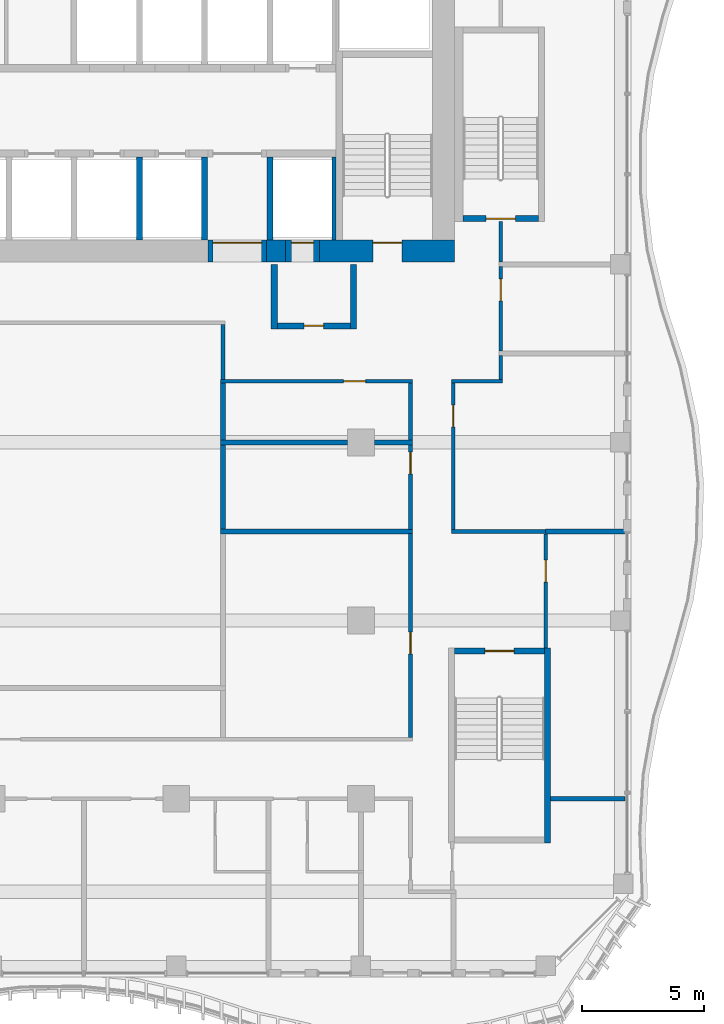
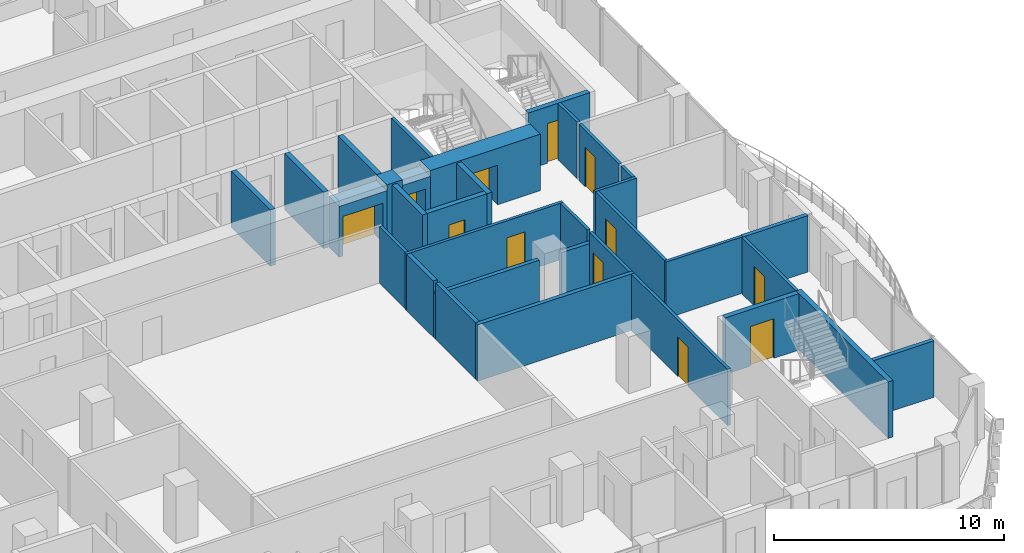
# One storey, part 13 of 23: 33 walls, 12 doors, 12 openings.
"""IFC4 building model written with IfcOpenShell, lengths in metres."""

from ifc_helpers import new_model, si_unit, direction, frame, frame_2d, origin, place, context, subcontext, project, spatial, rectangle, extrude, source, transform, mapped, material, layer, layer_set, type_object, element, fill, save


model = new_model("IFC4")

# Units and contexts
model_context = context("Model", 3, precision=1e-05, world=origin(), true_north=direction((0.0, 1.0)))
body_context = subcontext(model_context, "Body", "Model", "MODEL_VIEW")
ifc_project = project(units=[si_unit("LENGTHUNIT", "METRE"), si_unit("AREAUNIT", "SQUARE_METRE"), si_unit("VOLUMEUNIT", "CUBIC_METRE"), si_unit("PLANEANGLEUNIT", "RADIAN"), si_unit("MASSUNIT", "GRAM", prefix="KILO")], contexts=[model_context])

# Site, building, storey
site_placement = place(None, origin())
site = spatial("IfcSite", under=ifc_project, at=site_placement, CompositionType="ELEMENT")
building_placement = place(site_placement, origin())
building = spatial("IfcBuilding", under=site, at=building_placement, Name="Kilnfold Tower and Market Hall", CompositionType="ELEMENT")
storey_placement = place(building_placement, frame((0.0, 0.0, 160.89990234375)))
storey = spatial("IfcBuildingStorey", under=building, at=storey_placement, Name="L37", CompositionType="ELEMENT", Elevation=160.89990234375)

# Wall, opening, door
ifc_material_1 = material(Name="Gypsum board on steel studs", Category="steel")
ifc_layer_1 = layer(ifc_material_1, 0.14990234375)
ifc_layer_set_1 = layer_set([ifc_layer_1], Name="Gypsum board on steel studs")
wall_type_1 = type_object("IfcWallType", Name="WALL CORRIDOR 150", PredefinedType="PARTITIONING", material=ifc_layer_set_1)
wall_1_placement = place(storey_placement, frame((19.89990234375, 4.43408203125, 0.0), z_axis=(0.0, 0.0, 1.0), x_axis=(0.0, 1.0, 0.0)))
wall_1 = element("IfcWall", 1, at=wall_1_placement, inside=storey, type_object=wall_type_1, Name="Partition LY24.23", PredefinedType="PARTITIONING", context=body_context, shape_type="SweptSolid", body=[
    extrude(rectangle(XDim=3.475830078125, YDim=0.14990234375, at=frame_2d((1.73779296875, 0.0))), origin(), (0.0, 0.0, 1.0), 3.0),
])
opening_1_placement = place(wall_1_placement, frame((2.06494140625, 0.0, 0.0)))
opening_1 = element("IfcOpeningElement", 2, at=opening_1_placement, cuts=wall_1, Name="Opening D2", PredefinedType="OPENING", context=body_context, shape_type="SweptSolid", body=[
    extrude(rectangle(XDim=0.89990234375, YDim=2.10009765625, at=frame_2d((0.449951171875, 1.050048828125))), frame((0.0, 0.0849609375, 0.0), z_axis=(0.0, -1.0, 0.0), x_axis=(1.0, 0.0, 0.0)), (0.0, 0.0, 1.0), 0.169921875),
])
ifc_material_2 = material(Name="Timber veneer door leaf in steel frame", Category="steel")
door_type_1 = type_object("IfcDoorType", Name="DOOR ROOM 900 X2100", OperationType="NOTDEFINED", PredefinedType="DOOR", material=ifc_material_2)
door_1_placement = place(opening_1_placement, origin())
door_1 = element("IfcDoor", 3, at=door_1_placement, inside=storey, type_object=door_type_1, Name="Door D2", OperationType="SINGLE_SWING_LEFT", OverallHeight=2.10009765625, OverallWidth=0.89990234375, PredefinedType="DOOR", context=body_context, shape_type="SweptSolid", body=[
    extrude(rectangle(XDim=0.89990234375, YDim=2.10009765625, at=frame_2d((0.449951171875, 1.050048828125))), frame((0.0, 0.02490234375, 0.0), z_axis=(0.0, -1.0, 0.0), x_axis=(1.0, 0.0, 0.0)), (0.0, 0.0, 1.0), 0.050048828125),
])
fill(opening_1, door_1)

# Walls
wall_2_placement = place(storey_placement, frame((19.89990234375, 8.090087890625, 0.0), z_axis=(0.0, 0.0, 1.0), x_axis=(0.0, 1.0, 0.0)))
element("IfcWall", 4, at=wall_2_placement, inside=storey, type_object=wall_type_1, Name="Partition LY24.26", PredefinedType="PARTITIONING", context=body_context, shape_type="SweptSolid", body=[
    extrude(rectangle(XDim=1.659912109375, YDim=0.14990234375, at=frame_2d((0.830078125, 0.0))), origin(), (0.0, 0.0, 1.0), 3.0),
])
wall_3_placement = place(storey_placement, frame((19.89990234375, 3.27490234375, 0.0), z_axis=(0.0, 0.0, 1.0), x_axis=(0.0, 1.0, 0.0)))
element("IfcWall", 5, at=wall_3_placement, inside=storey, type_object=wall_type_1, Name="Partition LY24.27", PredefinedType="PARTITIONING", context=body_context, shape_type="SweptSolid", body=[
    extrude(rectangle(XDim=0.97900390625, YDim=0.14990234375, at=frame_2d((0.489501953125, 0.0))), origin(), (0.0, 0.0, 1.0), 3.0),
])
wall_4_placement = place(storey_placement, frame((17.884033203125, 3.199951171875, 0.0), z_axis=(0.0, 0.0, 1.0), x_axis=(1.0, 0.0, 0.0)))
element("IfcWall", 6, at=wall_4_placement, inside=storey, type_object=wall_type_1, Name="Partition LY24.28", PredefinedType="PARTITIONING", context=body_context, shape_type="SweptSolid", body=[
    extrude(rectangle(XDim=2.091064453125, YDim=0.14990234375, at=frame_2d((1.04541015625, 0.0))), origin(), (0.0, 0.0, 1.0), 3.0),
])

# Wall, opening, door
wall_5_placement = place(storey_placement, frame((17.958984375, -2.89404296875, 0.0), z_axis=(0.0, 0.0, 1.0), x_axis=(0.0, 1.0, 0.0)))
wall_5 = element("IfcWall", 7, at=wall_5_placement, inside=storey, type_object=wall_type_1, Name="Partition LY24.29", PredefinedType="PARTITIONING", context=body_context, shape_type="SweptSolid", body=[
    extrude(rectangle(XDim=6.01904296875, YDim=0.14990234375, at=frame_2d((3.009521484375, 0.0))), origin(), (0.0, 0.0, 1.0), 3.0),
])
opening_2_placement = place(wall_5_placement, frame((4.216064453125, 0.0, 0.0)))
opening_2 = element("IfcOpeningElement", 8, at=opening_2_placement, cuts=wall_5, Name="Opening D2", PredefinedType="OPENING", context=body_context, shape_type="SweptSolid", body=[
    extrude(rectangle(XDim=0.89990234375, YDim=2.10009765625, at=frame_2d((0.449951171875, 1.050048828125))), frame((0.0, 0.0849609375, 0.0), z_axis=(0.0, -1.0, 0.0), x_axis=(1.0, 0.0, 0.0)), (0.0, 0.0, 1.0), 0.169921875),
])
door_2_placement = place(opening_2_placement, origin())
door_2 = element("IfcDoor", 9, at=door_2_placement, inside=storey, type_object=door_type_1, Name="Door D2", OperationType="SINGLE_SWING_LEFT", OverallHeight=2.10009765625, OverallWidth=0.89990234375, PredefinedType="DOOR", context=body_context, shape_type="SweptSolid", body=[
    extrude(rectangle(XDim=0.89990234375, YDim=2.10009765625, at=frame_2d((0.449951171875, 1.050048828125))), frame((0.0, 0.02490234375, 0.0), z_axis=(0.0, -1.0, 0.0), x_axis=(1.0, 0.0, 0.0)), (0.0, 0.0, 1.0), 0.050048828125),
])
fill(opening_2, door_2)

# Wall
wall_6_placement = place(storey_placement, frame((21.7509765625, -2.968994140625, 0.0), z_axis=(0.0, 0.0, 1.0), x_axis=(-1.0, 0.0, 0.0)))
element("IfcWall", 10, at=wall_6_placement, inside=storey, type_object=wall_type_1, Name="Partition LY24.30", PredefinedType="PARTITIONING", context=body_context, shape_type="SweptSolid", body=[
    extrude(rectangle(XDim=3.866943359375, YDim=0.14990234375, at=frame_2d((1.93359375, 0.0))), origin(), (0.0, 0.0, 1.0), 3.0),
])

# Wall, opening, door
wall_7_placement = place(storey_placement, frame((21.75, -7.75, 0.0), z_axis=(0.0, 0.0, 1.0), x_axis=(0.0, 1.0, 0.0)))
wall_7 = element("IfcWall", 11, at=wall_7_placement, inside=storey, type_object=wall_type_1, Name="Partition LY24.31", PredefinedType="PARTITIONING", context=body_context, shape_type="SweptSolid", body=[
    extrude(rectangle(XDim=4.681884765625, YDim=0.14990234375, at=frame_2d((2.3408203125, 0.0))), origin(), (0.0, 0.0, 1.0), 3.0),
])
opening_3_placement = place(wall_7_placement, frame((2.7041015625, 0.0, 0.0)))
opening_3 = element("IfcOpeningElement", 12, at=opening_3_placement, cuts=wall_7, Name="Opening D2", PredefinedType="OPENING", context=body_context, shape_type="SweptSolid", body=[
    extrude(rectangle(XDim=0.89990234375, YDim=2.10009765625, at=frame_2d((0.449951171875, 1.050048828125))), frame((0.0, 0.0849609375, 0.0), z_axis=(0.0, -1.0, 0.0), x_axis=(1.0, 0.0, 0.0)), (0.0, 0.0, 1.0), 0.169921875),
])
door_3_placement = place(opening_3_placement, origin())
door_3 = element("IfcDoor", 13, at=door_3_placement, inside=storey, type_object=door_type_1, Name="Door D2", OperationType="SINGLE_SWING_RIGHT", OverallHeight=2.10009765625, OverallWidth=0.89990234375, PredefinedType="DOOR", context=body_context, shape_type="SweptSolid", body=[
    extrude(rectangle(XDim=0.89990234375, YDim=2.10009765625, at=frame_2d((0.449951171875, 1.050048828125))), frame((0.0, 0.02490234375, 0.0), z_axis=(0.0, -1.0, 0.0), x_axis=(1.0, 0.0, 0.0)), (0.0, 0.0, 1.0), 0.050048828125),
])
fill(opening_3, door_3)

wall_8_placement = place(storey_placement, frame((16.199951171875, -11.425048828125, 0.0), z_axis=(0.0, 0.0, 1.0), x_axis=(0.0, 1.0, 0.0)))
wall_8 = element("IfcWall", 14, at=wall_8_placement, inside=storey, type_object=wall_type_1, Name="Partition LY24.40", PredefinedType="PARTITIONING", context=body_context, shape_type="SweptSolid", body=[
    extrude(rectangle(XDim=8.365966796875, YDim=0.14990234375, at=frame_2d((4.18310546875, 0.0))), origin(), (0.0, 0.0, 1.0), 3.0),
])
opening_4_placement = place(wall_8_placement, frame((3.429931640625, 0.0, 0.0)))
opening_4 = element("IfcOpeningElement", 15, at=opening_4_placement, cuts=wall_8, Name="Opening D2", PredefinedType="OPENING", context=body_context, shape_type="SweptSolid", body=[
    extrude(rectangle(XDim=0.89990234375, YDim=2.10009765625, at=frame_2d((0.449951171875, 1.050048828125))), frame((0.0, 0.0849609375, 0.0), z_axis=(0.0, -1.0, 0.0), x_axis=(1.0, 0.0, 0.0)), (0.0, 0.0, 1.0), 0.169921875),
])
door_4_placement = place(opening_4_placement, origin())
door_4 = element("IfcDoor", 16, at=door_4_placement, inside=storey, type_object=door_type_1, Name="Door D2", OperationType="SINGLE_SWING_LEFT", OverallHeight=2.10009765625, OverallWidth=0.89990234375, PredefinedType="DOOR", context=body_context, shape_type="SweptSolid", body=[
    extrude(rectangle(XDim=0.89990234375, YDim=2.10009765625, at=frame_2d((0.449951171875, 1.050048828125))), frame((0.0, 0.02490234375, 0.0), z_axis=(0.0, -1.0, 0.0), x_axis=(1.0, 0.0, 0.0)), (0.0, 0.0, 1.0), 0.050048828125),
])
fill(opening_4, door_4)

wall_9_placement = place(storey_placement, frame((16.199951171875, -2.87890625, 0.0), z_axis=(0.0, 0.0, 1.0), x_axis=(0.0, 1.0, 0.0)))
wall_9 = element("IfcWall", 17, at=wall_9_placement, inside=storey, type_object=wall_type_1, Name="Partition LY24.41", PredefinedType="PARTITIONING", context=body_context, shape_type="SweptSolid", body=[
    extrude(rectangle(XDim=3.476806640625, YDim=0.14990234375, at=frame_2d((1.73828125, 0.0))), origin(), (0.0, 0.0, 1.0), 3.0),
])
opening_5_placement = place(wall_9_placement, frame((2.27294921875, 0.0, 0.0)))
opening_5 = element("IfcOpeningElement", 18, at=opening_5_placement, cuts=wall_9, Name="Opening D2", PredefinedType="OPENING", context=body_context, shape_type="SweptSolid", body=[
    extrude(rectangle(XDim=0.89990234375, YDim=2.10009765625, at=frame_2d((0.449951171875, 1.050048828125))), frame((0.0, 0.0849609375, 0.0), z_axis=(0.0, -1.0, 0.0), x_axis=(1.0, 0.0, 0.0)), (0.0, 0.0, 1.0), 0.169921875),
])
door_5_placement = place(opening_5_placement, origin())
door_5 = element("IfcDoor", 19, at=door_5_placement, inside=storey, type_object=door_type_1, Name="Door D2", OperationType="SINGLE_SWING_RIGHT", OverallHeight=2.10009765625, OverallWidth=0.89990234375, PredefinedType="DOOR", context=body_context, shape_type="SweptSolid", body=[
    extrude(rectangle(XDim=0.89990234375, YDim=2.10009765625, at=frame_2d((0.449951171875, 1.050048828125))), frame((0.0, 0.02490234375, 0.0), z_axis=(0.0, -1.0, 0.0), x_axis=(1.0, 0.0, 0.0)), (0.0, 0.0, 1.0), 0.050048828125),
])
fill(opening_5, door_5)

# Wall
wall_10_placement = place(storey_placement, frame((16.199951171875, 0.778076171875, 0.0), z_axis=(0.0, 0.0, 1.0), x_axis=(0.0, 1.0, 0.0)))
element("IfcWall", 20, at=wall_10_placement, inside=storey, type_object=wall_type_1, Name="Partition LY24.42", PredefinedType="PARTITIONING", context=body_context, shape_type="SweptSolid", body=[
    extrude(rectangle(XDim=2.346923828125, YDim=0.14990234375, at=frame_2d((1.17333984375, 0.0))), origin(), (0.0, 0.0, 1.0), 3.0),
])

# Wall, opening, door
wall_11_placement = place(storey_placement, frame((8.39990234375, 3.199951171875, 0.0), z_axis=(0.0, 0.0, 1.0), x_axis=(1.0, 0.0, 0.0)))
wall_11 = element("IfcWall", 21, at=wall_11_placement, inside=storey, type_object=wall_type_1, Name="Partition LY24.43", PredefinedType="PARTITIONING", context=body_context, shape_type="SweptSolid", body=[
    extrude(rectangle(XDim=7.875, YDim=0.14990234375, at=frame_2d((3.9375, 0.0))), origin(), (0.0, 0.0, 1.0), 3.0),
])
opening_6_placement = place(wall_11_placement, frame((5.054931640625, 0.0, 0.0)))
opening_6 = element("IfcOpeningElement", 22, at=opening_6_placement, cuts=wall_11, Name="Opening D2", PredefinedType="OPENING", context=body_context, shape_type="SweptSolid", body=[
    extrude(rectangle(XDim=0.89990234375, YDim=2.10009765625, at=frame_2d((0.449951171875, 1.050048828125))), frame((0.0, 0.0849609375, 0.0), z_axis=(0.0, -1.0, 0.0), x_axis=(1.0, 0.0, 0.0)), (0.0, 0.0, 1.0), 0.169921875),
])
door_6_placement = place(opening_6_placement, origin())
door_6 = element("IfcDoor", 23, at=door_6_placement, inside=storey, type_object=door_type_1, Name="Door D2", OperationType="SINGLE_SWING_LEFT", OverallHeight=2.10009765625, OverallWidth=0.89990234375, PredefinedType="DOOR", context=body_context, shape_type="SweptSolid", body=[
    extrude(rectangle(XDim=0.89990234375, YDim=2.10009765625, at=frame_2d((0.449951171875, 1.050048828125))), frame((0.0, 0.02490234375, 0.0), z_axis=(0.0, -1.0, 0.0), x_axis=(1.0, 0.0, 0.0)), (0.0, 0.0, 1.0), 0.050048828125),
])
fill(opening_6, door_6)

# Walls
wall_12_placement = place(storey_placement, frame((8.5, 5.52490234375, 0.0), z_axis=(0.0, 0.0, 1.0), x_axis=(0.0, -1.0, 0.0)))
element("IfcWall", 24, at=wall_12_placement, inside=storey, type_object=wall_type_1, Name="Partition LY24.45", PredefinedType="PARTITIONING", context=body_context, shape_type="SweptSolid", body=[
    extrude(rectangle(XDim=2.25, YDim=0.14990234375, at=frame_2d((1.125, 0.0))), origin(), (0.0, 0.0, 1.0), 3.0),
])
ifc_material_3 = material(Name="Gypsum board on steel studs", Category="steel")
ifc_layer_2 = layer(ifc_material_3, 0.199951171875)
ifc_layer_set_2 = layer_set([ifc_layer_2], Name="Gypsum board on steel studs")
wall_type_2 = type_object("IfcWallType", Name="WALL PARTY 200", PredefinedType="PARTITIONING", material=ifc_layer_set_2)
wall_13_placement = place(storey_placement, frame((25.0, -13.93798828125, 0.0), z_axis=(0.0, 0.0, 1.0), x_axis=(-1.0, 0.0, 0.0)))
element("IfcWall", 25, at=wall_13_placement, inside=storey, type_object=wall_type_2, Name="Partition LY24.64", PredefinedType="PARTITIONING", context=body_context, shape_type="SweptSolid", body=[
    extrude(rectangle(XDim=3.050048828125, YDim=0.199951171875, at=frame_2d((1.52490234375, 0.0))), origin(), (0.0, 0.0, 1.0), 3.0),
])
wall_14_placement = place(storey_placement, frame((21.7509765625, -2.968017578125, 0.0), z_axis=(0.0, 0.0, 1.0), x_axis=(0.999999954829, -0.000300571071, 0.0)))
element("IfcWall", 26, at=wall_14_placement, inside=storey, type_object=wall_type_2, Name="Partition LY24.103", PredefinedType="PARTITIONING", context=body_context, shape_type="SweptSolid", body=[
    extrude(rectangle(XDim=3.2490234375, YDim=0.199951171875, at=frame_2d((1.62451171875, 0.0))), origin(), (0.0, 0.0, 1.0), 3.0),
])
wall_15_placement = place(storey_placement, frame((8.39990234375, -2.968994140625, 0.0), z_axis=(0.0, 0.0, 1.0), x_axis=(1.0, 0.0, 0.0)))
element("IfcWall", 27, at=wall_15_placement, inside=storey, type_object=wall_type_2, Name="Partition LY24.110", PredefinedType="PARTITIONING", context=body_context, shape_type="SweptSolid", body=[
    extrude(rectangle(XDim=7.873046875, YDim=0.199951171875, at=frame_2d((3.9365234375, 0.0))), origin(), (0.0, 0.0, 1.0), 3.0),
])
wall_16_placement = place(storey_placement, frame((14.717041015625, 0.68798828125, 0.0), z_axis=(0.0, 0.0, 1.0), x_axis=(1.0, 0.0, 0.0)))
element("IfcWall", 28, at=wall_16_placement, inside=storey, type_object=wall_type_2, Name="Partition LY24.112", PredefinedType="PARTITIONING", context=body_context, shape_type="SweptSolid", body=[
    extrude(rectangle(XDim=1.555908203125, YDim=0.199951171875, at=frame_2d((0.77783203125, 0.0))), origin(), (0.0, 0.0, 1.0), 2.400146484375),
])
wall_17_placement = place(storey_placement, frame((8.39990234375, 0.68798828125, 0.0), z_axis=(0.0, 0.0, 1.0), x_axis=(1.0, 0.0, 0.0)))
element("IfcWall", 29, at=wall_17_placement, inside=storey, type_object=wall_type_2, Name="Partition LY24.113", PredefinedType="PARTITIONING", context=body_context, shape_type="SweptSolid", body=[
    extrude(rectangle(XDim=5.217041015625, YDim=0.199951171875, at=frame_2d((2.6083984375, 0.0))), origin(), (0.0, 0.0, 1.0), 2.400146484375),
])
wall_18_placement = place(storey_placement, frame((8.5, -2.868896484375, 0.0), z_axis=(0.0, 0.0, 1.0), x_axis=(0.0, 1.0, 0.0)))
element("IfcWall", 30, at=wall_18_placement, inside=storey, type_object=wall_type_2, Name="Partition LY24.114", PredefinedType="PARTITIONING", context=body_context, shape_type="SweptSolid", body=[
    extrude(rectangle(XDim=3.456787109375, YDim=0.199951171875, at=frame_2d((1.728515625, 0.0))), origin(), (0.0, 0.0, 1.0), 3.0),
])
wall_19_placement = place(storey_placement, frame((8.5, 0.7880859375, 0.0), z_axis=(0.0, 0.0, 1.0), x_axis=(0.0, 1.0, 0.0)))
element("IfcWall", 31, at=wall_19_placement, inside=storey, type_object=wall_type_2, Name="Partition LY24.115", PredefinedType="PARTITIONING", context=body_context, shape_type="SweptSolid", body=[
    extrude(rectangle(XDim=2.3349609375, YDim=0.199951171875, at=frame_2d((1.16748046875, 0.0))), origin(), (0.0, 0.0, 1.0), 3.0),
])
ifc_material_4 = material(Name="Concrete C70", Category="concrete")
ifc_layer_3 = layer(ifc_material_4, 0.89990234375)
ifc_layer_set_3 = layer_set([ifc_layer_3], Name="Concrete C70")
wall_type_3 = type_object("IfcWallType", Name="CORE WALL 900 C70", PredefinedType="SHEAR", material=ifc_layer_set_3)
shared_shape_1 = source(origin(), body_context, "Body", "SweptSolid", [
    extrude(rectangle(XDim=0.780029296875, YDim=0.89990234375, at=frame_2d((0.39013671875, 0.0))), origin(), (0.0, 0.0, 1.0), 3.0),
])
wall_20_placement = place(storey_placement, frame((10.2900390625, 8.550048828125, 0.0), z_axis=(0.0, 0.0, 1.0), x_axis=(1.0, 0.0, 0.0)))
element("IfcWall", 32, at=wall_20_placement, inside=storey, type_object=wall_type_3, Name="Core outer wall south", PredefinedType="SHEAR", context=body_context, shape_type="MappedRepresentation", body=[
    mapped(shared_shape_1, transform((0.0, 0.0, 0.0))),
])

# Wall, opening, door
shared_shape_2 = source(origin(), body_context, "Body", "SweptSolid", [
    extrude(rectangle(XDim=5.530029296875, YDim=0.89990234375, at=frame_2d((2.76513671875, 0.0))), origin(), (0.0, 0.0, 1.0), 3.0),
])
wall_21_placement = place(storey_placement, frame((12.469970703125, 8.550048828125, 0.0), z_axis=(0.0, 0.0, 1.0), x_axis=(1.0, 0.0, 0.0)))
wall_21 = element("IfcWall", 33, at=wall_21_placement, inside=storey, type_object=wall_type_3, Name="Core outer wall south", PredefinedType="SHEAR", context=body_context, shape_type="MappedRepresentation", body=[
    mapped(shared_shape_2, transform((0.0, 0.0, 0.0))),
])
opening_7_placement = place(wall_21_placement, frame((2.179931640625, 0.0, 0.0)))
opening_7 = element("IfcOpeningElement", 34, at=opening_7_placement, cuts=wall_21, Name="Opening SD1", PredefinedType="OPENING", context=body_context, shape_type="SweptSolid", body=[
    extrude(rectangle(XDim=1.199951171875, YDim=2.10009765625, at=frame_2d((0.60009765625, 1.050048828125))), frame((0.0, 0.4599609375, 0.0), z_axis=(0.0, -1.0, 0.0), x_axis=(1.0, 0.0, 0.0)), (0.0, 0.0, 1.0), 0.919921875),
])
ifc_material_5 = material(Name="Steel door set with fire-resisting leaf", Category="steel")
door_type_2 = type_object("IfcDoorType", Name="STAIR FLOOR DOOR 1200X2100", OperationType="NOTDEFINED", PredefinedType="DOOR", material=ifc_material_5)
door_7_placement = place(opening_7_placement, origin())
door_7 = element("IfcDoor", 35, at=door_7_placement, inside=storey, type_object=door_type_2, Name="Exit stair ST2 door", OperationType="DOUBLE_DOOR_SINGLE_SWING", OverallHeight=2.10009765625, OverallWidth=1.199951171875, PredefinedType="DOOR", context=body_context, shape_type="SweptSolid", body=[
    extrude(rectangle(XDim=1.199951171875, YDim=2.10009765625, at=frame_2d((0.60009765625, 1.050048828125))), frame((0.0, 0.35498046875, 0.0), z_axis=(0.0, -1.0, 0.0), x_axis=(1.0, 0.0, 0.0)), (0.0, 0.0, 1.0), 0.050048828125),
])
fill(opening_7, door_7)

ifc_material_6 = material(Name="Concrete C70", Category="concrete")
ifc_layer_4 = layer(ifc_material_6, 0.25)
ifc_layer_set_4 = layer_set([ifc_layer_4], Name="Concrete C70")
wall_type_4 = type_object("IfcWallType", Name="CORE WALL 250 C70", PredefinedType="SHEAR", material=ifc_layer_set_4)
shared_shape_3 = source(origin(), body_context, "Body", "SweptSolid", [
    extrude(rectangle(XDim=3.699951171875, YDim=0.25, at=frame_2d((1.85009765625, 0.0))), origin(), (0.0, 0.0, 1.0), 3.0),
])
wall_22_placement = place(storey_placement, frame((18.0, -7.875, 0.0), z_axis=(0.0, 0.0, 1.0), x_axis=(1.0, 0.0, 0.0)))
wall_22 = element("IfcWall", 36, at=wall_22_placement, inside=storey, type_object=wall_type_4, Name="Stair enclosure ST4", PredefinedType="SHEAR", context=body_context, shape_type="MappedRepresentation", body=[
    mapped(shared_shape_3, transform((0.0, 0.0, 0.0))),
])
opening_8_placement = place(wall_22_placement, frame((1.25, 0.0, 0.0)))
opening_8 = element("IfcOpeningElement", 37, at=opening_8_placement, cuts=wall_22, Name="Opening SD1", PredefinedType="OPENING", context=body_context, shape_type="SweptSolid", body=[
    extrude(rectangle(XDim=1.199951171875, YDim=2.10009765625, at=frame_2d((0.60009765625, 1.050048828125))), frame((0.0, 0.135009765625, 0.0), z_axis=(0.0, -1.0, 0.0), x_axis=(1.0, 0.0, 0.0)), (0.0, 0.0, 1.0), 0.27001953125),
])
door_8_placement = place(opening_8_placement, origin())
door_8 = element("IfcDoor", 38, at=door_8_placement, inside=storey, type_object=door_type_2, Name="Exit stair ST4 door", OperationType="DOUBLE_DOOR_SINGLE_SWING", OverallHeight=2.10009765625, OverallWidth=1.199951171875, PredefinedType="DOOR", context=body_context, shape_type="SweptSolid", body=[
    extrude(rectangle(XDim=1.199951171875, YDim=2.10009765625, at=frame_2d((0.60009765625, 1.050048828125))), frame((0.0, 0.02490234375, 0.0), z_axis=(0.0, -1.0, 0.0), x_axis=(1.0, 0.0, 0.0)), (0.0, 0.0, 1.0), 0.050048828125),
])
fill(opening_8, door_8)

# Wall
shared_shape_4 = source(origin(), body_context, "Body", "SweptSolid", [
    extrude(rectangle(XDim=8.0, YDim=0.25, at=frame_2d((4.0, 0.0))), origin(), (0.0, 0.0, 1.0), 3.0),
])
wall_23_placement = place(storey_placement, frame((21.824951171875, -15.75, 0.0), z_axis=(0.0, 0.0, 1.0), x_axis=(0.0, 1.0, 0.0)))
element("IfcWall", 39, at=wall_23_placement, inside=storey, type_object=wall_type_4, Name="Stair enclosure ST4", PredefinedType="SHEAR", context=body_context, shape_type="MappedRepresentation", body=[
    mapped(shared_shape_4, transform((0.0, 0.0, 0.0))),
])

# Wall, opening, door
shared_shape_5 = source(origin(), body_context, "Body", "SweptSolid", [
    extrude(rectangle(XDim=3.099853515625, YDim=0.25, at=frame_2d((1.5498046875, 0.0))), origin(), (0.0, 0.0, 1.0), 3.0),
])
wall_24_placement = place(storey_placement, frame((18.35009765625, 9.875, 0.0), z_axis=(0.0, 0.0, 1.0), x_axis=(1.0, 0.0, 0.0)))
wall_24 = element("IfcWall", 40, at=wall_24_placement, inside=storey, type_object=wall_type_4, Name="Stair enclosure ST5", PredefinedType="SHEAR", context=body_context, shape_type="MappedRepresentation", body=[
    mapped(shared_shape_5, transform((0.0, 0.0, 0.0))),
])
opening_9_placement = place(wall_24_placement, frame((0.949951171875, 0.0, 0.0)))
opening_9 = element("IfcOpeningElement", 41, at=opening_9_placement, cuts=wall_24, Name="Opening SD1", PredefinedType="OPENING", context=body_context, shape_type="SweptSolid", body=[
    extrude(rectangle(XDim=1.199951171875, YDim=2.10009765625, at=frame_2d((0.60009765625, 1.050048828125))), frame((0.0, 0.135009765625, 0.0), z_axis=(0.0, -1.0, 0.0), x_axis=(1.0, 0.0, 0.0)), (0.0, 0.0, 1.0), 0.27001953125),
])
door_9_placement = place(opening_9_placement, origin())
door_9 = element("IfcDoor", 42, at=door_9_placement, inside=storey, type_object=door_type_2, Name="Exit stair ST5 door", OperationType="DOUBLE_DOOR_SINGLE_SWING", OverallHeight=2.10009765625, OverallWidth=1.199951171875, PredefinedType="DOOR", context=body_context, shape_type="SweptSolid", body=[
    extrude(rectangle(XDim=1.199951171875, YDim=2.10009765625, at=frame_2d((0.60009765625, 1.050048828125))), frame((0.0, 0.02490234375, 0.0), z_axis=(0.0, -1.0, 0.0), x_axis=(1.0, 0.0, 0.0)), (0.0, 0.0, 1.0), 0.050048828125),
])
fill(opening_9, door_9)

ifc_material_7 = material(Name="Gypsum shaft wall system")
ifc_layer_5 = layer(ifc_material_7, 0.89990234375)
ifc_layer_set_5 = layer_set([ifc_layer_5], Name="Gypsum shaft wall system")
wall_type_5 = type_object("IfcWallType", Name="LOBBY WALL 900", PredefinedType="PARTITIONING", material=ifc_layer_set_5)
shared_shape_6 = source(origin(), body_context, "Body", "SweptSolid", [
    extrude(rectangle(XDim=1.39990234375, YDim=0.89990234375, at=frame_2d((0.699951171875, 0.0))), origin(), (0.0, 0.0, 1.0), 2.7001953125),
])
wall_25_placement = place(storey_placement, frame((11.070068359375, 8.550048828125, 0.0), z_axis=(0.0, 0.0, 1.0), x_axis=(1.0, 0.0, 0.0)))
wall_25 = element("IfcWall", 43, at=wall_25_placement, inside=storey, type_object=wall_type_5, Name="Core wall infill", PredefinedType="PARTITIONING", context=body_context, shape_type="MappedRepresentation", body=[
    mapped(shared_shape_6, transform((0.0, 0.0, 0.0))),
])
opening_10_placement = place(wall_25_placement, frame((0.25, 0.0, 0.0)))
opening_10 = element("IfcOpeningElement", 44, at=opening_10_placement, cuts=wall_25, Name="Opening LD1", PredefinedType="OPENING", context=body_context, shape_type="SweptSolid", body=[
    extrude(rectangle(XDim=0.89990234375, YDim=2.10009765625, at=frame_2d((0.449951171875, 1.050048828125))), frame((0.0, 0.4599609375, 0.0), z_axis=(0.0, -1.0, 0.0), x_axis=(1.0, 0.0, 0.0)), (0.0, 0.0, 1.0), 0.919921875),
])
ifc_material_8 = material(Name="Steel door set with fire-resisting leaf", Category="steel")
door_type_3 = type_object("IfcDoorType", Name="FIREFIGHTING LANDING DOOR 900X2100", OperationType="NOTDEFINED", PredefinedType="DOOR", material=ifc_material_8)
door_10_placement = place(opening_10_placement, origin())
door_10 = element("IfcDoor", 45, at=door_10_placement, inside=storey, type_object=door_type_3, Name="Landing door FF3", OperationType="SLIDING_TO_LEFT", OverallHeight=2.10009765625, OverallWidth=0.89990234375, PredefinedType="DOOR", context=body_context, shape_type="SweptSolid", body=[
    extrude(rectangle(XDim=0.89990234375, YDim=2.10009765625, at=frame_2d((0.449951171875, 1.050048828125))), frame((0.0, 0.35498046875, 0.0), z_axis=(0.0, -1.0, 0.0), x_axis=(1.0, 0.0, 0.0)), (0.0, 0.0, 1.0), 0.050048828125),
])
fill(opening_10, door_10)

shared_shape_7 = source(origin(), body_context, "Body", "SweptSolid", [
    extrude(rectangle(XDim=2.400146484375, YDim=0.89990234375, at=frame_2d((1.2001953125, 0.0))), origin(), (0.0, 0.0, 1.0), 2.7001953125),
])
wall_26_placement = place(storey_placement, frame((7.889892578125, 8.550048828125, 0.0), z_axis=(0.0, 0.0, 1.0), x_axis=(1.0, 0.0, 0.0)))
wall_26 = element("IfcWall", 46, at=wall_26_placement, inside=storey, type_object=wall_type_5, Name="Core wall infill", PredefinedType="PARTITIONING", context=body_context, shape_type="MappedRepresentation", body=[
    mapped(shared_shape_7, transform((0.0, 0.0, 0.0))),
])
opening_11_placement = place(wall_26_placement, frame((0.199951171875, 0.0, 0.0)))
opening_11 = element("IfcOpeningElement", 47, at=opening_11_placement, cuts=wall_26, Name="Opening VD2", PredefinedType="OPENING", context=body_context, shape_type="SweptSolid", body=[
    extrude(rectangle(XDim=2.0, YDim=2.10009765625, at=frame_2d((1.0, 1.050048828125))), frame((0.0, 0.4599609375, 0.0), z_axis=(0.0, -1.0, 0.0), x_axis=(1.0, 0.0, 0.0)), (0.0, 0.0, 1.0), 0.919921875),
])
ifc_material_9 = material(Name="Steel door set with fire-resisting leaf", Category="steel")
door_type_4 = type_object("IfcDoorType", Name="LIFT LOBBY ENTRANCE DOOR 2000X2100", OperationType="NOTDEFINED", PredefinedType="DOOR", material=ifc_material_9)
door_11_placement = place(opening_11_placement, origin())
door_11 = element("IfcDoor", 48, at=door_11_placement, inside=storey, type_object=door_type_4, Name="Lift lobby entrance door", OperationType="DOUBLE_DOOR_SINGLE_SWING", OverallHeight=2.10009765625, OverallWidth=2.0, PredefinedType="DOOR", context=body_context, shape_type="SweptSolid", body=[
    extrude(rectangle(XDim=2.0, YDim=2.10009765625, at=frame_2d((1.0, 1.050048828125))), frame((0.0, 0.35498046875, 0.0), z_axis=(0.0, -1.0, 0.0), x_axis=(1.0, 0.0, 0.0)), (0.0, 0.0, 1.0), 0.050048828125),
])
fill(opening_11, door_11)

# Walls
ifc_material_10 = material(Name="Gypsum shaft wall system")
ifc_layer_6 = layer(ifc_material_10, 0.25)
ifc_layer_set_6 = layer_set([ifc_layer_6], Name="Gypsum shaft wall system")
wall_type_6 = type_object("IfcWallType", Name="LOBBY WALL 250", PredefinedType="PARTITIONING", material=ifc_layer_set_6)
shared_shape_8 = source(origin(), body_context, "Body", "SweptSolid", [
    extrude(rectangle(XDim=2.64990234375, YDim=0.25, at=frame_2d((1.324951171875, 0.0))), origin(), (0.0, 0.0, 1.0), 3.0),
])
for number, where, z_axis, x_axis, name in (
    (49, (10.60498046875, 5.35009765625, 0.0), (0.0, 0.0, 1.0), (0.0, 1.0, 0.0), "Firefighting lobby wall"),
    (50, (13.85498046875, 5.35009765625, 0.0), (0.0, 0.0, 1.0), (0.0, 1.0, 0.0), "Firefighting lobby wall"),
):
    element("IfcWall", number, at=place(storey_placement, frame(where, z_axis=z_axis, x_axis=x_axis)), inside=storey, type_object=wall_type_6, Name=name, PredefinedType="PARTITIONING", context=body_context, shape_type="MappedRepresentation", body=[
        mapped(shared_shape_8, transform((0.0, 0.0, 0.0))),
    ])

# Wall, opening, door
shared_shape_9 = source(origin(), body_context, "Body", "SweptSolid", [
    extrude(rectangle(XDim=3.0, YDim=0.25, at=frame_2d((1.5, 0.0))), origin(), (0.0, 0.0, 1.0), 3.0),
])
wall_27_placement = place(storey_placement, frame((10.72998046875, 5.47509765625, 0.0), z_axis=(0.0, 0.0, 1.0), x_axis=(1.0, 0.0, 0.0)))
wall_27 = element("IfcWall", 51, at=wall_27_placement, inside=storey, type_object=wall_type_6, Name="Firefighting lobby wall", PredefinedType="PARTITIONING", context=body_context, shape_type="MappedRepresentation", body=[
    mapped(shared_shape_9, transform((0.0, 0.0, 0.0))),
])
opening_12_placement = place(wall_27_placement, frame((1.10009765625, 0.0, 0.0)))
opening_12 = element("IfcOpeningElement", 52, at=opening_12_placement, cuts=wall_27, Name="Opening VD1", PredefinedType="OPENING", context=body_context, shape_type="SweptSolid", body=[
    extrude(rectangle(XDim=0.800048828125, YDim=2.0, at=frame_2d((0.39990234375, 1.0))), frame((0.0, 0.135009765625, 0.0), z_axis=(0.0, -1.0, 0.0), x_axis=(1.0, 0.0, 0.0)), (0.0, 0.0, 1.0), 0.27001953125),
])
ifc_material_11 = material(Name="Steel door set with fire-resisting leaf", Category="steel")
door_type_5 = type_object("IfcDoorType", Name="FIREFIGHTING LOBBY DOOR 800X2000", OperationType="NOTDEFINED", PredefinedType="DOOR", material=ifc_material_11)
door_12_placement = place(opening_12_placement, origin())
door_12 = element("IfcDoor", 53, at=door_12_placement, inside=storey, type_object=door_type_5, Name="Firefighting lobby door", OperationType="SINGLE_SWING_RIGHT", OverallHeight=2.0, OverallWidth=0.800048828125, PredefinedType="DOOR", context=body_context, shape_type="SweptSolid", body=[
    extrude(rectangle(XDim=0.800048828125, YDim=2.0, at=frame_2d((0.39990234375, 1.0))), frame((0.0, 0.02490234375, 0.0), z_axis=(0.0, -1.0, 0.0), x_axis=(1.0, 0.0, 0.0)), (0.0, 0.0, 1.0), 0.050048828125),
])
fill(opening_12, door_12)

# Walls
ifc_material_12 = material(Name="Gypsum shaft wall system")
ifc_layer_7 = layer(ifc_material_12, 0.25)
ifc_layer_set_7 = layer_set([ifc_layer_7], Name="Gypsum shaft wall system")
wall_type_7 = type_object("IfcWallType", Name="SHAFT WALL 250", PredefinedType="PARTITIONING", material=ifc_layer_set_7)
shared_shape_10 = source(origin(), body_context, "Body", "SweptSolid", [
    extrude(rectangle(XDim=3.39990234375, YDim=0.25, at=frame_2d((1.699951171875, 0.0))), origin(), (0.0, 0.0, 1.0), 3.0),
])
for number, where, z_axis, x_axis, name in (
    (54, (10.429931640625, 9.0, 0.0), (0.0, 0.0, 1.0), (0.0, 1.0, 0.0), "Lift shaft wall"),
    (55, (5.070068359375, 9.0, 0.0), (0.0, 0.0, 1.0), (0.0, 1.0, 0.0), "Lift shaft wall"),
    (56, (7.75, 9.0, 0.0), (0.0, 0.0, 1.0), (0.0, 1.0, 0.0), "Lift shaft wall"),
):
    element("IfcWall", number, at=place(storey_placement, frame(where, z_axis=z_axis, x_axis=x_axis)), inside=storey, type_object=wall_type_7, Name=name, PredefinedType="PARTITIONING", context=body_context, shape_type="MappedRepresentation", body=[
        mapped(shared_shape_10, transform((0.0, 0.0, 0.0))),
    ])
ifc_material_13 = material(Name="Gypsum shaft wall system")
ifc_layer_8 = layer(ifc_material_13, 0.1650390625)
ifc_layer_set_8 = layer_set([ifc_layer_8], Name="Gypsum shaft wall system")
wall_type_8 = type_object("IfcWallType", Name="SHAFT WALL 165", PredefinedType="PARTITIONING", material=ifc_layer_set_8)
shared_shape_11 = source(origin(), body_context, "Body", "SweptSolid", [
    extrude(rectangle(XDim=3.39990234375, YDim=0.1650390625, at=frame_2d((1.699951171875, 0.0))), origin(), (0.0, 0.0, 1.0), 3.0),
])
wall_28_placement = place(storey_placement, frame((13.0673828125, 9.0, 0.0), z_axis=(0.0, 0.0, 1.0), x_axis=(0.0, 1.0, 0.0)))
element("IfcWall", 57, at=wall_28_placement, inside=storey, type_object=wall_type_8, Name="Lift shaft wall", PredefinedType="PARTITIONING", context=body_context, shape_type="MappedRepresentation", body=[
    mapped(shared_shape_11, transform((0.0, 0.0, 0.0))),
])

save(model, "model.ifc")
